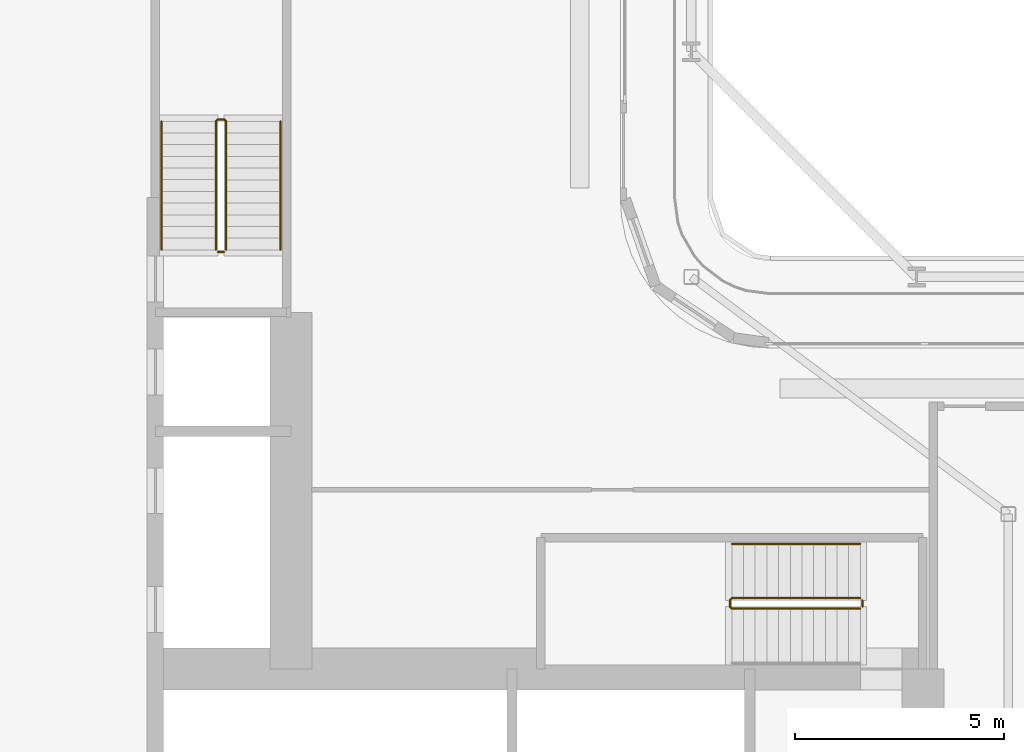
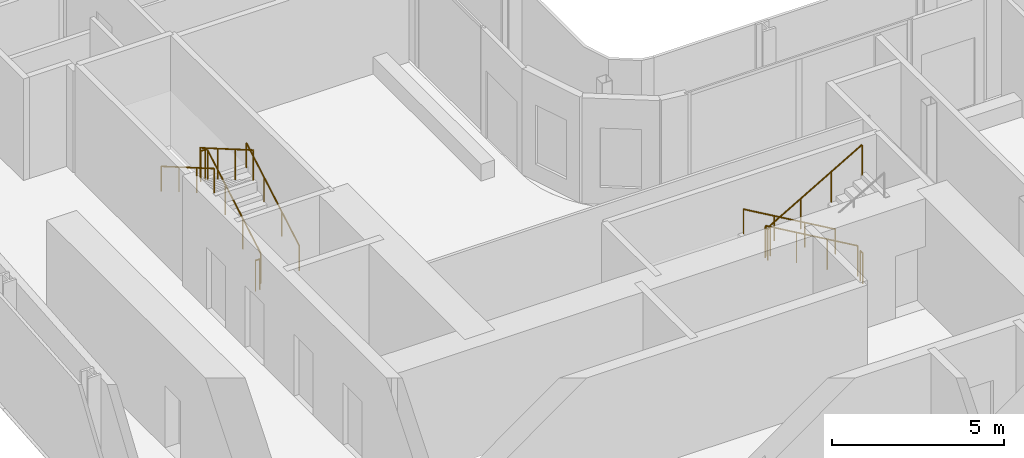
# One storey, part 20 of 25: 7 railings.
"""IFC4 building model written with IfcOpenShell, lengths in metres."""

import ifcopenshell
import ifcopenshell.guid

model = None  # the IFC model being written
_history = None  # IfcOwnerHistory: only IFC2X3 demands one
_inside = {}  # id of a spatial element -> (the spatial element, [elements in it])
_under = {}  # id of a project, library or spatial element -> (it, [spatial elements below it])
_declared = {}  # id of a project -> (the project, [libraries it declares])
_typed = {}  # id of a type object -> (the type object, [elements of that type])
_made_of = {}  # id of a material, layer set ... -> (it, [elements and type objects made of it])


def new_model(schema):
    """Start an empty IFC model of exactly this schema.

    Asked for "IFC4X3", IfcOpenShell would pick the latest addendum, in which some entities
    have other attributes; the version numbers below select the first issue.
    IFC2X3 requires an IfcOwnerHistory on every rooted entity: one is made here for all.
    """
    global model, _history
    if schema == "IFC4X3":
        model = ifcopenshell.file(schema_version=(4, 3, 0, 0))
    else:
        model = ifcopenshell.file(schema=schema)
    _inside.clear()
    _under.clear()
    _declared.clear()
    _typed.clear()
    _made_of.clear()
    _history = None
    if model.schema == "IFC2X3":
        org = make("IfcOrganization", Name="unknown")
        user = make(
            "IfcPersonAndOrganization",
            ThePerson=make("IfcPerson", FamilyName="unknown"),
            TheOrganization=org,
        )
        app = make(
            "IfcApplication",
            ApplicationDeveloper=org,
            Version="unknown",
            ApplicationFullName="unknown",
            ApplicationIdentifier="unknown",
        )
        _history = make(
            "IfcOwnerHistory",
            OwningUser=user,
            OwningApplication=app,
            ChangeAction="ADDED",
            CreationDate=0,
        )
    return model


def make(cls, **values):
    """One entity of the class cls with the attributes given. An attribute that is None is left unset."""
    return model.create_entity(
        cls, **{name: value for name, value in values.items() if value is not None}
    )


def rooted(cls, **values):
    """An entity with a GlobalId (a new one), such as an element, a storey or a relation."""
    return make(cls, GlobalId=ifcopenshell.guid.new(), OwnerHistory=_history, **values)


def si_unit(unit_type, name, prefix=None):
    """IfcSIUnit, for example si_unit("LENGTHUNIT", "METRE", prefix="MILLI")."""
    return make("IfcSIUnit", UnitType=unit_type, Prefix=prefix, Name=name)


def assignment(units):
    """IfcUnitAssignment: the units of a project."""
    return None if units is None else make("IfcUnitAssignment", Units=units)


def point(xyz):
    """IfcCartesianPoint."""
    return None if xyz is None else make("IfcCartesianPoint", Coordinates=xyz)


def direction(xyz):
    """IfcDirection."""
    return None if xyz is None else make("IfcDirection", DirectionRatios=xyz)


def frame(location, z_axis=None, x_axis=None):
    """IfcAxis2Placement3D, a coordinate frame: its origin and axes. An axis left out is left unset."""
    return make(
        "IfcAxis2Placement3D",
        Location=point(location),
        Axis=direction(z_axis),
        RefDirection=direction(x_axis),
    )


def frame_2d(location, x_axis=None):
    """IfcAxis2Placement2D, a coordinate frame in the plane: its origin and x axis."""
    return make(
        "IfcAxis2Placement2D", Location=point(location), RefDirection=direction(x_axis)
    )


def origin():
    """The frame at (0, 0, 0) with its axes left unset."""
    return frame((0.0, 0.0, 0.0))


def origin_2d():
    """The frame at (0, 0) in the plane with its x axis left unset."""
    return frame_2d((0.0, 0.0))


def place(relative_to, where):
    """IfcLocalPlacement: puts the frame where relative to a parent placement (None: the world)."""
    return make(
        "IfcLocalPlacement", PlacementRelTo=relative_to, RelativePlacement=where
    )


def context(
    kind, dimensions, precision=None, world=None, true_north=None, identifier=None
):
    """IfcGeometricRepresentationContext, for example the 3D "Model" context."""
    return make(
        "IfcGeometricRepresentationContext",
        ContextIdentifier=identifier,
        ContextType=kind,
        CoordinateSpaceDimension=dimensions,
        Precision=precision,
        WorldCoordinateSystem=world,
        TrueNorth=true_north,
    )


def subcontext(parent, identifier, kind, view, scale=None):
    """IfcGeometricRepresentationSubContext, for example "Body" below "Model"."""
    return make(
        "IfcGeometricRepresentationSubContext",
        ContextIdentifier=identifier,
        ContextType=kind,
        ParentContext=parent,
        TargetScale=scale,
        TargetView=view,
    )


def project(units=None, contexts=None):
    """IfcProject with its units and contexts."""
    return rooted(
        "IfcProject",
        Name="project",
        RepresentationContexts=contexts,
        UnitsInContext=assignment(units),
    )


def spatial(cls, under=None, at=None, **own):
    """A site, building, storey or space (cls), placed at a placement, below another one or the project."""
    s = rooted(cls, ObjectPlacement=at, **own)
    if under is not None:
        _under.setdefault(under.id(), (under, []))[1].append(s)
    return s


def profile(cls, at=None, kind="AREA", **sizes):
    """A parametric profile (cls). Its sizes go by their IFC names, for example OverallWidth=200.0."""
    return make(cls, ProfileType=kind, Position=at, **sizes)


def circle(**sizes):
    """IfcCircleProfileDef."""
    return profile("IfcCircleProfileDef", **sizes)


def extrude(swept, where, along, depth):
    """IfcExtrudedAreaSolid: the profile swept, set in the frame where, extruded along a direction by depth."""
    return make(
        "IfcExtrudedAreaSolid",
        SweptArea=swept,
        Position=where,
        ExtrudedDirection=direction(along),
        Depth=depth,
    )


def shape(context_of_items, identifier, shape_type, items):
    """IfcShapeRepresentation: the items that make up one representation, for example the "Body"."""
    return make(
        "IfcShapeRepresentation",
        ContextOfItems=context_of_items,
        RepresentationIdentifier=identifier,
        RepresentationType=shape_type,
        Items=items,
    )


def material(Name=None, Category=None):
    """IfcMaterial."""
    return make("IfcMaterial", Name=Name, Category=Category)


def made_of(thing, what):
    """Note that an element or type object is made of a material, layer set ...; save() writes the relation."""
    if what is not None:
        _made_of.setdefault(what.id(), (what, []))[1].append(thing)
    return thing


def type_object(cls, material=None, **own):
    """A type object (cls), such as IfcWallType, which elements share."""
    return made_of(rooted(cls, **own), material)


def element(
    cls,
    number,
    at=None,
    inside=None,
    cuts=None,
    type_object=None,
    material=None,
    context=None,
    identifier="Body",
    shape_type=None,
    held_by="IfcProductDefinitionShape",
    body=None,
    shapes=None,
    **own,
):
    """One element of the class cls, such as IfcWall. Its Tag is "e" and its number.

    at: its placement. inside: the storey or other place that contains it. cuts: it is an
    opening in that element (IfcRelVoidsElement). A single representation is given by context,
    identifier, shape_type and body (its items); several are given by shapes. held_by: the class
    of the entity that holds the representations. save() writes the other relations.
    """
    e = rooted(cls, Tag="e%d" % number, ObjectPlacement=at, **own)
    if body is not None:
        shapes = [shape(context, identifier, shape_type, body)]
    if shapes is not None:
        e.Representation = make(held_by, Representations=shapes)
    if inside is not None:
        _inside.setdefault(inside.id(), (inside, []))[1].append(e)
    if cuts is not None:
        rooted(
            "IfcRelVoidsElement", RelatingBuildingElement=cuts, RelatedOpeningElement=e
        )
    if type_object is not None:
        _typed.setdefault(type_object.id(), (type_object, []))[1].append(e)
    return made_of(e, material)


def aggregate(whole, parts):
    """IfcRelAggregates: a whole, such as a stair, and the parts it consists of."""
    return rooted("IfcRelAggregates", RelatingObject=whole, RelatedObjects=parts)


def save(model, path):
    """Write the relations noted so far, then the file.

    IfcRelAggregates (storeys below a building ...), IfcRelContainedInSpatialStructure (elements
    in a storey), IfcRelDefinesByType, IfcRelAssociatesMaterial and IfcRelDeclares: one each for
    every whole, place, type object, material and project.
    """
    for whole, parts in _under.values():
        aggregate(whole, parts)
    for where, things in _inside.values():
        rooted(
            "IfcRelContainedInSpatialStructure",
            RelatedElements=things,
            RelatingStructure=where,
        )
    for kind, things in _typed.values():
        rooted("IfcRelDefinesByType", RelatedObjects=things, RelatingType=kind)
    for what, things in _made_of.values():
        rooted("IfcRelAssociatesMaterial", RelatedObjects=things, RelatingMaterial=what)
    for by, libraries in _declared.values():
        rooted("IfcRelDeclares", RelatingContext=by, RelatedDefinitions=libraries)
    model.write(path)


model = new_model("IFC4")

# Units and contexts
model_context = context("Model", 3, precision=1e-05, world=origin(), true_north=direction((0.0, 1.0)))
body_context = subcontext(model_context, "Body", "Model", "MODEL_VIEW")
ifc_project = project(units=[si_unit("LENGTHUNIT", "METRE"), si_unit("AREAUNIT", "SQUARE_METRE"), si_unit("VOLUMEUNIT", "CUBIC_METRE"), si_unit("PLANEANGLEUNIT", "RADIAN"), si_unit("MASSUNIT", "GRAM", prefix="KILO")], contexts=[model_context])

# Site, building, storey
site_placement = place(None, origin())
site = spatial("IfcSite", under=ifc_project, at=site_placement, CompositionType="ELEMENT")
building_placement = place(site_placement, origin())
building = spatial("IfcBuilding", under=site, at=building_placement, Name="Kheshtan School and Residences Tower", CompositionType="ELEMENT")
storey_placement = place(building_placement, frame((0.0, 0.0, 34.39990234375)))
storey = spatial("IfcBuildingStorey", under=building, at=storey_placement, Name="L07", CompositionType="ELEMENT", Elevation=34.39990234375)

# Railings
ifc_material_1 = material(Name="Stainless steel balustrade", Category="steel")
railing_type_1 = type_object("IfcRailingType", Name="Stair guard 1100", PredefinedType="GUARDRAIL", material=ifc_material_1)
railing_1_placement = place(storey_placement, frame((51.64990234375, 37.89990234375, 0.16259765625)))
element("IfcRailing", 1, at=railing_1_placement, inside=storey, type_object=railing_type_1, Name="L07 ST1 stair guard 1", PredefinedType="GUARDRAIL", context=body_context, shape_type="SweptSolid", body=[
    extrude(circle(Radius=0.02392578125, at=origin_2d()), frame((0.0, 0.0, 1.076171875), z_axis=(-0.864873446163, 0.0, 0.501989962173), x_axis=(0.0, -1.0, 0.0)), (0.0, 0.0, 1.0), 3.56103515625),
    extrude(circle(Radius=0.02392578125, at=origin_2d()), frame((-3.079833984375, 0.0, 2.86376953125), z_axis=(-0.708833529934, -0.705375805398, 0.0), x_axis=(0.705375805398, -0.708833529934, 0.0)), (0.0, 0.0, 1.0), 0.070556640625),
    extrude(circle(Radius=0.02392578125, at=origin_2d()), frame((-3.1298828125, -0.0498046875, 2.86376953125), z_axis=(0.0, -1.0, 0.0), x_axis=(1.0, 0.0, 0.0)), (0.0, 0.0, 1.0), 0.150146484375),
    extrude(circle(Radius=0.02392578125, at=origin_2d()), frame((-3.1298828125, -0.199951171875, 2.86376953125), z_axis=(0.282583949758, -0.282583949758, 0.916674763849), x_axis=(0.707106781187, 0.707106781187, 0.0)), (0.0, 0.0, 1.0), 0.177001953125),
    extrude(circle(Radius=0.02392578125, at=origin_2d()), frame((-3.079833984375, -0.25, 3.02587890625), z_axis=(0.864873446163, 0.0, 0.501989962173), x_axis=(0.0, 1.0, 0.0)), (0.0, 0.0, 1.0), 3.56103515625),
    extrude(circle(Radius=0.02099609375, at=origin_2d()), origin(), (0.0, 0.0, 1.0), 1.052001953125),
    extrude(circle(Radius=0.02099609375, at=origin_2d()), frame((-1.026611328125, 0.0, 0.595947265625)), (0.0, 0.0, 1.0), 1.052001953125),
    extrude(circle(Radius=0.02099609375, at=origin_2d()), frame((-2.05322265625, 0.0, 1.191650390625)), (0.0, 0.0, 1.0), 1.052001953125),
    extrude(circle(Radius=0.02099609375, at=origin_2d()), frame((-3.079833984375, 0.0, 1.78759765625)), (0.0, 0.0, 1.0), 1.052001953125),
    extrude(circle(Radius=0.02099609375, at=origin_2d()), frame((-3.1298828125, -0.0498046875, 1.78759765625)), (0.0, 0.0, 1.0), 1.052001953125),
    extrude(circle(Radius=0.02099609375, at=origin_2d()), frame((-3.1298828125, -0.199951171875, 1.78759765625)), (0.0, 0.0, 1.0), 1.052001953125),
    extrude(circle(Radius=0.02099609375, at=origin_2d()), frame((-3.079833984375, -0.25, 1.949951171875)), (0.0, 0.0, 1.0), 1.052001953125),
    extrude(circle(Radius=0.02099609375, at=origin_2d()), frame((-2.05322265625, -0.25, 2.5458984375)), (0.0, 0.0, 1.0), 1.052001953125),
    extrude(circle(Radius=0.02099609375, at=origin_2d()), frame((-1.026611328125, -0.25, 3.1416015625)), (0.0, 0.0, 1.0), 1.052001953125),
    extrude(circle(Radius=0.02099609375, at=origin_2d()), frame((0.0, -0.25, 3.737548828125)), (0.0, 0.0, 1.0), 1.052001953125),
])
railing_2_placement = place(storey_placement, frame((51.699951171875, 37.85009765625, 0.0)))
element("IfcRailing", 2, at=railing_2_placement, inside=storey, type_object=railing_type_1, Name="L07 ST1 stair guard 2", PredefinedType="GUARDRAIL", context=body_context, shape_type="SweptSolid", body=[
    extrude(circle(Radius=0.02392578125, at=origin_2d()), frame((0.0, 0.0, 1.076171875), z_axis=(0.0, -1.0, 0.0), x_axis=(1.0, 0.0, 0.0)), (0.0, 0.0, 1.0), 0.150146484375),
    extrude(circle(Radius=0.02099609375, at=origin_2d()), origin(), (0.0, 0.0, 1.0), 1.052001953125),
    extrude(circle(Radius=0.02099609375, at=origin_2d()), frame((0.0, -0.150146484375, 0.0)), (0.0, 0.0, 1.0), 1.052001953125),
])
railing_3_placement = place(storey_placement, frame((36.449951171875, 46.25, 0.16259765625)))
element("IfcRailing", 3, at=railing_3_placement, inside=storey, type_object=railing_type_1, Name="L07 ST2 stair guard 1", PredefinedType="GUARDRAIL", context=body_context, shape_type="SweptSolid", body=[
    extrude(circle(Radius=0.02392578125, at=origin_2d()), frame((0.0, 0.0, 1.076171875), z_axis=(0.0, 0.864890721111, 0.501960198159), x_axis=(-1.0, 0.0, 0.0)), (0.0, 0.0, 1.0), 3.561279296875),
    extrude(circle(Radius=0.02392578125, at=origin_2d()), frame((0.0, 3.080078125, 2.86376953125), z_axis=(-0.708833529934, 0.705375805398, 0.0), x_axis=(-0.705375805398, -0.708833529934, 0.0)), (0.0, 0.0, 1.0), 0.070556640625),
    extrude(circle(Radius=0.02392578125, at=origin_2d()), frame((-0.050048828125, 3.1298828125, 2.86376953125), z_axis=(-1.0, 0.0, 0.0), x_axis=(0.0, -1.0, 0.0)), (0.0, 0.0, 1.0), 0.14990234375),
    extrude(circle(Radius=0.02392578125, at=origin_2d()), frame((-0.199951171875, 3.1298828125, 2.86376953125), z_axis=(-0.282693820306, -0.281314826061, 0.917031173188), x_axis=(0.705375805398, -0.708833529934, 0.0)), (0.0, 0.0, 1.0), 0.177001953125),
    extrude(circle(Radius=0.02392578125, at=origin_2d()), frame((-0.25, 3.080078125, 3.02587890625), z_axis=(0.0, -0.864890721111, 0.501960198159), x_axis=(1.0, 0.0, 0.0)), (0.0, 0.0, 1.0), 3.561279296875),
    extrude(circle(Radius=0.02099609375, at=origin_2d()), origin(), (0.0, 0.0, 1.0), 1.052001953125),
    extrude(circle(Radius=0.02099609375, at=origin_2d()), frame((0.0, 1.026611328125, 0.595947265625)), (0.0, 0.0, 1.0), 1.052001953125),
    extrude(circle(Radius=0.02099609375, at=origin_2d()), frame((0.0, 2.053466796875, 1.191650390625)), (0.0, 0.0, 1.0), 1.052001953125),
    extrude(circle(Radius=0.02099609375, at=origin_2d()), frame((0.0, 3.080078125, 1.78759765625)), (0.0, 0.0, 1.0), 1.052001953125),
    extrude(circle(Radius=0.02099609375, at=origin_2d()), frame((-0.050048828125, 3.1298828125, 1.78759765625)), (0.0, 0.0, 1.0), 1.052001953125),
    extrude(circle(Radius=0.02099609375, at=origin_2d()), frame((-0.199951171875, 3.1298828125, 1.78759765625)), (0.0, 0.0, 1.0), 1.052001953125),
    extrude(circle(Radius=0.02099609375, at=origin_2d()), frame((-0.25, 3.080078125, 1.949951171875)), (0.0, 0.0, 1.0), 1.052001953125),
    extrude(circle(Radius=0.02099609375, at=origin_2d()), frame((-0.25, 2.053466796875, 2.5458984375)), (0.0, 0.0, 1.0), 1.052001953125),
    extrude(circle(Radius=0.02099609375, at=origin_2d()), frame((-0.25, 1.026611328125, 3.1416015625)), (0.0, 0.0, 1.0), 1.052001953125),
    extrude(circle(Radius=0.02099609375, at=origin_2d()), frame((-0.25, 0.0, 3.737548828125)), (0.0, 0.0, 1.0), 1.052001953125),
])
railing_4_placement = place(storey_placement, frame((36.39990234375, 46.199951171875, 0.0)))
element("IfcRailing", 4, at=railing_4_placement, inside=storey, type_object=railing_type_1, Name="L07 ST2 stair guard 2", PredefinedType="GUARDRAIL", context=body_context, shape_type="SweptSolid", body=[
    extrude(circle(Radius=0.02392578125, at=origin_2d()), frame((0.0, 0.0, 1.076171875), z_axis=(-1.0, 0.0, 0.0), x_axis=(0.0, -1.0, 0.0)), (0.0, 0.0, 1.0), 0.14990234375),
    extrude(circle(Radius=0.02099609375, at=origin_2d()), origin(), (0.0, 0.0, 1.0), 1.052001953125),
    extrude(circle(Radius=0.02099609375, at=origin_2d()), frame((-0.14990234375, 0.0, 0.0)), (0.0, 0.0, 1.0), 1.052001953125),
])
ifc_material_2 = material(Name="Stainless steel handrail", Category="steel")
railing_type_2 = type_object("IfcRailingType", Name="Stair handrail 900", PredefinedType="HANDRAIL", material=ifc_material_2)
railing_5_placement = place(storey_placement, frame((51.64990234375, 39.199951171875, 0.16259765625)))
element("IfcRailing", 5, at=railing_5_placement, inside=storey, type_object=railing_type_2, Name="L07 ST1 stair handrail 1", PredefinedType="HANDRAIL", context=body_context, shape_type="SweptSolid", body=[
    extrude(circle(Radius=0.02392578125, at=origin_2d()), frame((0.0, 0.0, 0.8759765625), z_axis=(-0.864873446163, 0.0, 0.501989962173), x_axis=(0.0, -1.0, 0.0)), (0.0, 0.0, 1.0), 3.56103515625),
    extrude(circle(Radius=0.02099609375, at=origin_2d()), origin(), (0.0, 0.0, 1.0), 0.851806640625),
    extrude(circle(Radius=0.02099609375, at=origin_2d()), frame((-1.026611328125, 0.0, 0.595947265625)), (0.0, 0.0, 1.0), 0.851806640625),
    extrude(circle(Radius=0.02099609375, at=origin_2d()), frame((-2.05322265625, 0.0, 1.191650390625)), (0.0, 0.0, 1.0), 0.851806640625),
    extrude(circle(Radius=0.02099609375, at=origin_2d()), frame((-3.079833984375, 0.0, 1.78759765625)), (0.0, 0.0, 1.0), 0.851806640625),
])
railing_6_placement = place(storey_placement, frame((37.75, 46.25, 0.16259765625)))
element("IfcRailing", 6, at=railing_6_placement, inside=storey, type_object=railing_type_2, Name="L07 ST2 stair handrail 1", PredefinedType="HANDRAIL", context=body_context, shape_type="SweptSolid", body=[
    extrude(circle(Radius=0.02392578125, at=origin_2d()), frame((0.0, 0.0, 0.8759765625), z_axis=(0.0, 0.864890721111, 0.501960198159), x_axis=(-1.0, 0.0, 0.0)), (0.0, 0.0, 1.0), 3.561279296875),
    extrude(circle(Radius=0.02099609375, at=origin_2d()), origin(), (0.0, 0.0, 1.0), 0.851806640625),
    extrude(circle(Radius=0.02099609375, at=origin_2d()), frame((0.0, 1.026611328125, 0.595947265625)), (0.0, 0.0, 1.0), 0.851806640625),
    extrude(circle(Radius=0.02099609375, at=origin_2d()), frame((0.0, 2.053466796875, 1.191650390625)), (0.0, 0.0, 1.0), 0.851806640625),
    extrude(circle(Radius=0.02099609375, at=origin_2d()), frame((0.0, 3.080078125, 1.78759765625)), (0.0, 0.0, 1.0), 0.851806640625),
])
railing_7_placement = place(storey_placement, frame((34.89990234375, 49.330078125, 2.112548828125)))
element("IfcRailing", 7, at=railing_7_placement, inside=storey, type_object=railing_type_2, Name="L07 ST2 stair handrail 2", PredefinedType="HANDRAIL", context=body_context, shape_type="SweptSolid", body=[
    extrude(circle(Radius=0.02392578125, at=origin_2d()), frame((0.0, 0.0, 0.8759765625), z_axis=(0.0, -0.864890721111, 0.501960198159), x_axis=(1.0, 0.0, 0.0)), (0.0, 0.0, 1.0), 3.561279296875),
    extrude(circle(Radius=0.02099609375, at=origin_2d()), origin(), (0.0, 0.0, 1.0), 0.851806640625),
    extrude(circle(Radius=0.02099609375, at=origin_2d()), frame((0.0, -1.026611328125, 0.595947265625)), (0.0, 0.0, 1.0), 0.851806640625),
    extrude(circle(Radius=0.02099609375, at=origin_2d()), frame((0.0, -2.053466796875, 1.191650390625)), (0.0, 0.0, 1.0), 0.851806640625),
    extrude(circle(Radius=0.02099609375, at=origin_2d()), frame((0.0, -3.080078125, 1.78759765625)), (0.0, 0.0, 1.0), 0.851806640625),
])

save(model, "model.ifc")
